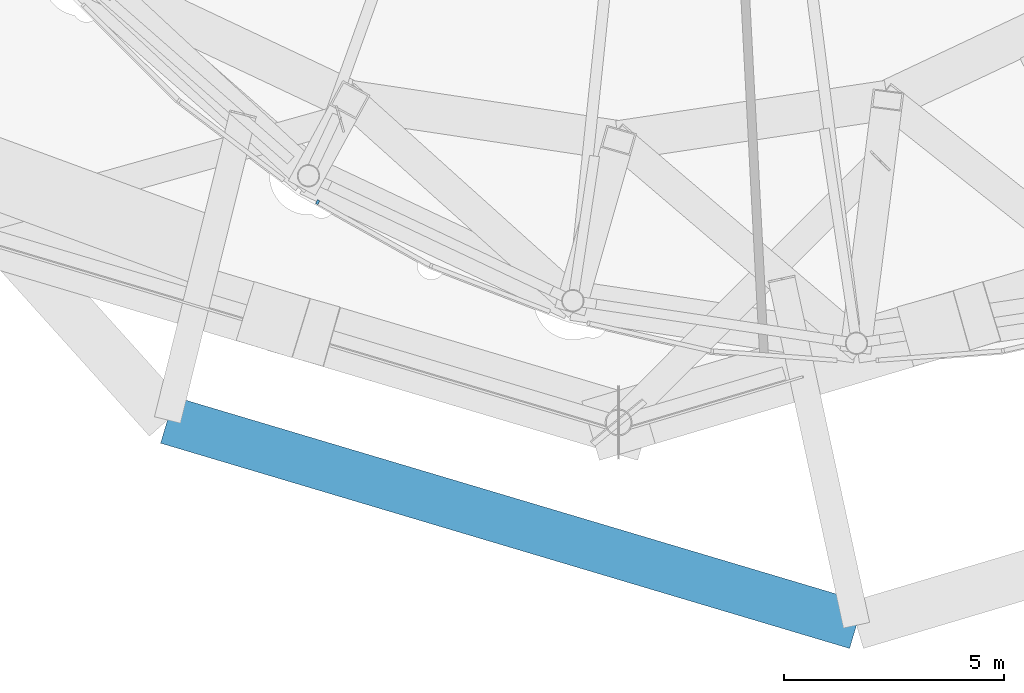
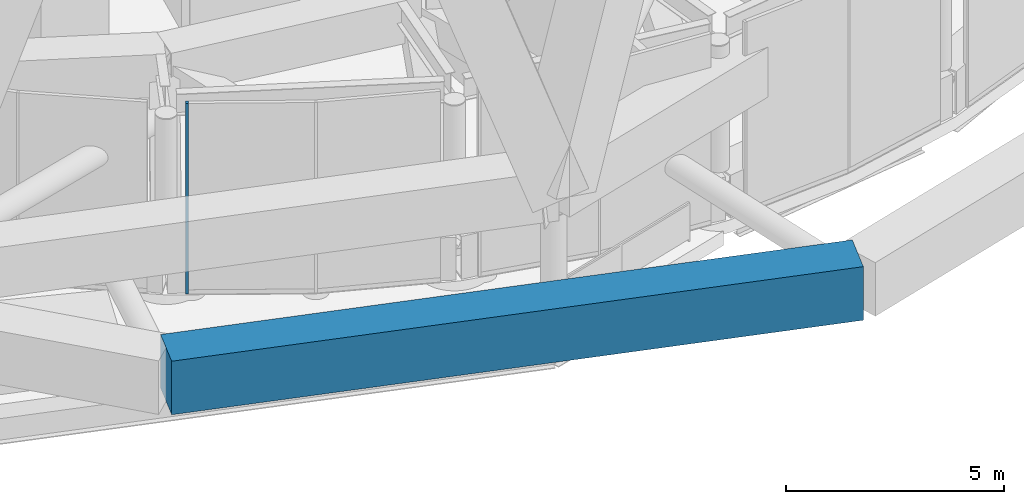
# One storey, part 5 of 60: 2 members, 1 element without a shape of its own.
"""IFC4 building model written with IfcOpenShell, lengths in metres."""

from ifc_helpers import new_model, si_unit, direction, frame, origin, origin_2d, place, context, subcontext, project, spatial, rectangle, extrude, material, layer, layer_set, material_profile, profile_set, type_object, element, aggregate, save


model = new_model("IFC4")

# Units and contexts
model_context = context("Model", 3, precision=1e-05, world=origin(), true_north=direction((0.0, 1.0)))
body_context = subcontext(model_context, "Body", "Model", "MODEL_VIEW")
ifc_project = project(units=[si_unit("LENGTHUNIT", "METRE"), si_unit("AREAUNIT", "SQUARE_METRE"), si_unit("VOLUMEUNIT", "CUBIC_METRE"), si_unit("PLANEANGLEUNIT", "RADIAN"), si_unit("MASSUNIT", "GRAM", prefix="KILO")], contexts=[model_context])

# Site, building, storey
site_placement = place(None, origin())
site = spatial("IfcSite", under=ifc_project, at=site_placement, CompositionType="ELEMENT")
building_placement = place(site_placement, origin())
building = spatial("IfcBuilding", under=site, at=building_placement, Name="Nagisa Residences", CompositionType="ELEMENT")
storey_placement = place(building_placement, frame((0.0, 0.0, 206.60009765625)))
storey = spatial("IfcBuildingStorey", under=building, at=storey_placement, Name="L52", CompositionType="ELEMENT", Elevation=206.60009765625)

# Curtain wall, member
ifc_material_1 = material(Name="Aluminium curtain wall system", Category="aluminium")
ifc_layer = layer(ifc_material_1, 0.159912109375)
ifc_layer_set = layer_set([ifc_layer], Name="CW5 CURTAIN WALL")
curtain_wall_type = type_object("IfcCurtainWallType", Name="CW5 CURTAIN WALL", PredefinedType="NOTDEFINED", material=ifc_layer_set)
curtain_wall_placement = place(storey_placement, origin())
curtain_wall = element("IfcCurtainWall", 1, at=curtain_wall_placement, inside=storey, type_object=curtain_wall_type, Name="cw:CW5:L52:32", PredefinedType="NOTDEFINED")
ifc_material_2 = material(Name="Aluminium", Category="aluminium")
ifc_material_profile_1 = material_profile(ifc_material_2, rectangle(XDim=0.10009765625, YDim=0.06005859375, at=origin_2d()), Name="CW5 MULLION 100x60")
ifc_profile_set_1 = profile_set([ifc_material_profile_1], Name="Aluminium")
member_type_1 = type_object("IfcMemberType", Name="CW5 MULLION 100x60", PredefinedType="MULLION", material=ifc_profile_set_1)
member_1_placement = place(storey_placement, frame((-8.629638671875, -25.171630859375, 0.0), z_axis=(0.0, 0.0, 1.0), x_axis=(0.489376918501, 0.872072377523, 0.0)))
member_1 = element("IfcMember", 2, at=member_1_placement, type_object=member_type_1, Name="CW5 mullion", PredefinedType="MULLION", context=body_context, shape_type="SweptSolid", body=[
    extrude(rectangle(XDim=0.10009765625, YDim=0.06005859375, at=origin_2d()), origin(), (0.0, 0.0, 1.0), 5.33984375),
])
aggregate(curtain_wall, [member_1])

# Member
ifc_material_3 = material(Name="Concrete C80", Category="concrete")
ifc_material_profile_2 = material_profile(ifc_material_3, rectangle(XDim=1.10009765625, YDim=1.5, at=origin_2d()), Name="C80 1100x1500")
ifc_profile_set_2 = profile_set([ifc_material_profile_2], Name="Concrete C80")
member_type_2 = type_object("IfcMemberType", Name="Cage ring 4 C80 1100x1500", PredefinedType="CHORD", material=ifc_profile_set_2)
member_2_placement = place(storey_placement, frame((-12.03759765625, -30.115966796875, 1.89990234375), z_axis=(0.958370614104, -0.285527172125, 0.0), x_axis=(0.285527172125, 0.958370614104, 0.0)))
element("IfcMember", 3, at=member_2_placement, inside=storey, type_object=member_type_2, Name="beam:L52:cg4r109", PredefinedType="CHORD", context=body_context, shape_type="SweptSolid", body=[
    extrude(rectangle(XDim=1.10009765625, YDim=1.5, at=origin_2d()), origin(), (0.0, 0.0, 1.0), 16.31689453125),
])

save(model, "model.ifc")
